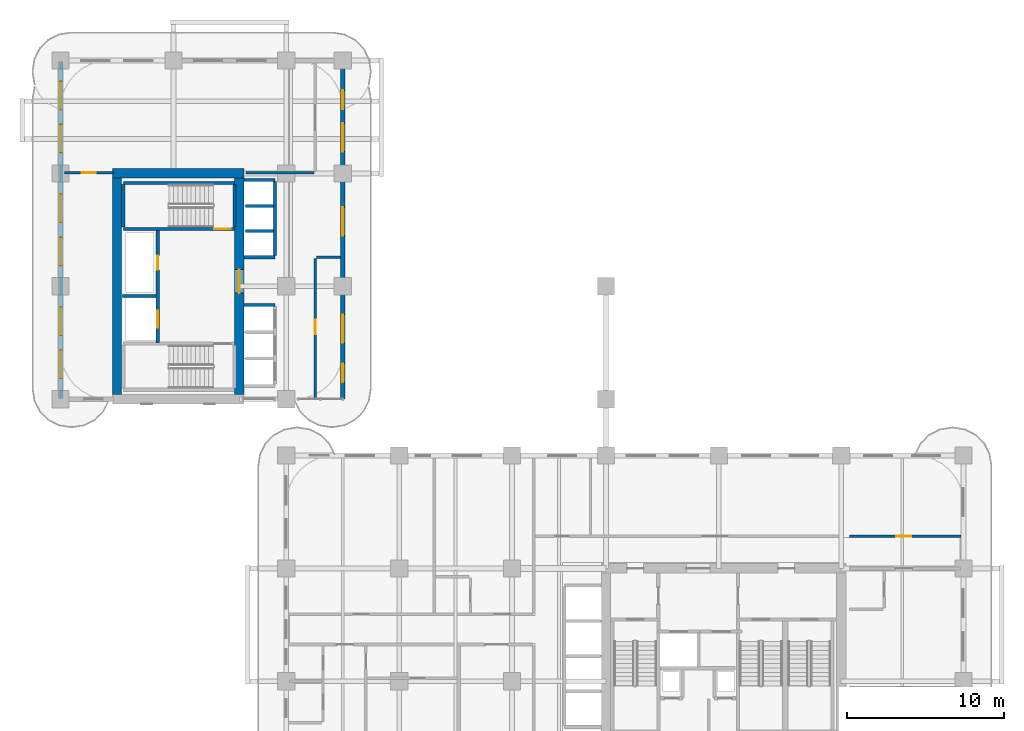
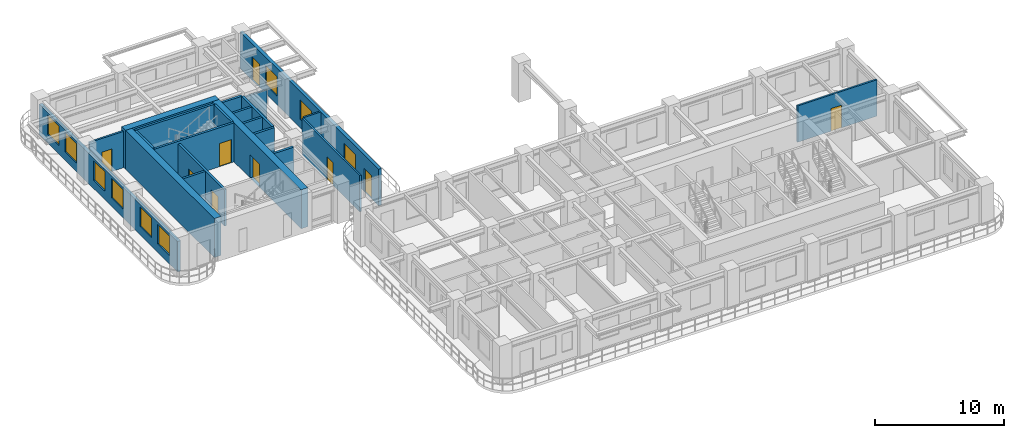
# One storey, part 10 of 18: 22 walls, 9 doors, 9 windows, 18 openings.
"""IFC4 building model written with IfcOpenShell, lengths in metres."""

from ifc_helpers import new_model, si_unit, derived_unit, direction, frame, frame_2d, origin, place, context, subcontext, project, spatial, rectangle, extrude, source, transform, mapped, material, layer, layer_set, type_object, type_shapes, element, fill, save


model = new_model("IFC4")

# Units and contexts
model_context = context("Model", 3, precision=1e-05, world=origin(), true_north=direction((0.0, 1.0)))
body_context = subcontext(model_context, "Body", "Model", "MODEL_VIEW")
ifc_project = project(units=[si_unit("LENGTHUNIT", "METRE"), si_unit("AREAUNIT", "SQUARE_METRE"), si_unit("VOLUMEUNIT", "CUBIC_METRE"), si_unit("PLANEANGLEUNIT", "RADIAN"), si_unit("MASSUNIT", "GRAM", prefix="KILO"), si_unit("THERMODYNAMICTEMPERATUREUNIT", "KELVIN"), si_unit("POWERUNIT", "WATT"), derived_unit("THERMALTRANSMITTANCEUNIT", [(si_unit("POWERUNIT", "WATT"), 1), (si_unit("AREAUNIT", "SQUARE_METRE"), -1), (si_unit("THERMODYNAMICTEMPERATUREUNIT", "KELVIN"), -1)])], contexts=[model_context])

# Site, building, storey
site_placement = place(None, origin())
site = spatial("IfcSite", under=ifc_project, at=site_placement, CompositionType="ELEMENT")
building_placement = place(site_placement, origin())
building = spatial("IfcBuilding", under=site, at=building_placement, Name="Zahravan Archway Hotel and Residences", CompositionType="ELEMENT")
storey_placement = place(building_placement, frame((0.0, 0.0, 58.300048828125)))
storey = spatial("IfcBuildingStorey", under=building, at=storey_placement, Name="L13", CompositionType="ELEMENT", Elevation=58.300048828125)

# Walls
ifc_material_1 = material(Name="Concrete C70/85", Category="concrete")
ifc_layer_1 = layer(ifc_material_1, 0.60009765625, Name="Concrete C70/85", Category="concrete")
ifc_layer_set_1 = layer_set([ifc_layer_1], Name="Concrete C70/85")
wall_type_1 = type_object("IfcWallType", Name="CW-CORE-600", PredefinedType="SHEAR", material=ifc_layer_set_1)
wall_1_placement = place(storey_placement, frame((3.300048828125, 39.60009765625, 0.0), z_axis=(0.0, 0.0, 1.0), x_axis=(1.0, 0.0, 0.0)))
element("IfcWall", 1, at=wall_1_placement, inside=storey, type_object=wall_type_1, Name="L13 Core B Shear N Wall 600 mm", PredefinedType="SHEAR", context=body_context, shape_type="SweptSolid", body=[
    extrude(rectangle(XDim=8.39990234375, YDim=0.60009765625, at=frame_2d((4.199951171875, 0.0))), origin(), (0.0, 0.0, 1.0), 3.699951171875),
])
wall_2_placement = place(storey_placement, frame((3.60009765625, 25.5, 0.0), z_axis=(0.0, 0.0, 1.0), x_axis=(0.0, 1.0, 0.0)))
element("IfcWall", 2, at=wall_2_placement, inside=storey, type_object=wall_type_1, Name="L13 Core B Shear W Wall 600 mm", PredefinedType="SHEAR", context=body_context, shape_type="SweptSolid", body=[
    extrude(rectangle(XDim=13.800048828125, YDim=0.60009765625, at=frame_2d((6.89990234375, 0.0))), origin(), (0.0, 0.0, 1.0), 3.699951171875),
])

# Wall, opening, door
wall_3_placement = place(storey_placement, frame((11.39990234375, 25.5, 0.0), z_axis=(0.0, 0.0, 1.0), x_axis=(0.0, 1.0, 0.0)))
wall_3 = element("IfcWall", 3, at=wall_3_placement, inside=storey, type_object=wall_type_1, Name="L13 Core B Shear E Wall 600 mm", PredefinedType="SHEAR", context=body_context, shape_type="SweptSolid", body=[
    extrude(rectangle(XDim=13.800048828125, YDim=0.60009765625, at=frame_2d((6.89990234375, 0.0))), origin(), (0.0, 0.0, 1.0), 3.699951171875),
])
opening_1_placement = place(wall_3_placement, frame((6.469970703125, 0.0, 0.0)))
opening_1 = element("IfcOpeningElement", 4, at=opening_1_placement, cuts=wall_3, Name="Opening FD-L1", PredefinedType="OPENING", context=body_context, shape_type="SweptSolid", body=[
    extrude(rectangle(XDim=1.5, YDim=2.199951171875, at=frame_2d((0.75, 1.10009765625))), frame((0.0, 0.31005859375, 0.0), z_axis=(0.0, -1.0, 0.0), x_axis=(1.0, 0.0, 0.0)), (0.0, 0.0, 1.0), 0.6201171875),
])
ifc_material_2 = material(Name="Fire-Rated Painted Steel", Category="steel")
door_type_1 = type_object("IfcDoorType", Name="FD-LOBBY-1500", OperationType="DOUBLE_DOOR_SINGLE_SWING", PredefinedType="DOOR", material=ifc_material_2)
shared_shape_1 = source(origin(), body_context, "Body", "SweptSolid", [
    extrude(rectangle(XDim=1.5, YDim=2.199951171875, at=frame_2d((0.75, 1.10009765625))), frame((0.0, 0.02490234375, 0.0), z_axis=(0.0, -1.0, 0.0), x_axis=(1.0, 0.0, 0.0)), (0.0, 0.0, 1.0), 0.050048828125),
])
type_shapes(door_type_1, [shared_shape_1])
door_1_placement = place(opening_1_placement, origin())
door_1 = element("IfcDoor", 5, at=door_1_placement, inside=storey, type_object=door_type_1, Name="L13 Core B FSAE Lobby Door", OperationType="DOUBLE_DOOR_SINGLE_SWING", OverallHeight=2.199951171875, OverallWidth=1.5, PredefinedType="DOOR", context=body_context, shape_type="MappedRepresentation", body=[
    mapped(shared_shape_1, transform((0.0, 0.0, 0.0), scale=1.0)),
])
fill(opening_1, door_1)

# Wall, openings, doors, windows
ifc_material_3 = material(Name="Honed Red-Ochre Sandstone & Insulated Block", Category="masonry")
ifc_layer_2 = layer(ifc_material_3, 0.280029296875, Name="Honed Red-Ochre Sandstone & Insulated Block", Category="masonry")
ifc_layer_set_2 = layer_set([ifc_layer_2], Name="Honed Red-Ochre Sandstone & Insulated Block")
wall_type_2 = type_object("IfcWallType", Name="EW-LOG-280", PredefinedType="SOLIDWALL", material=ifc_layer_set_2)
wall_4_placement = place(storey_placement, frame((18.0, 25.199951171875, 0.0), z_axis=(0.0, 0.0, 1.0), x_axis=(0.0, 1.0, 0.0)))
wall_4 = element("IfcWall", 6, at=wall_4_placement, inside=storey, type_object=wall_type_2, Name="L13 Exterior Sandstone Wall WB-E", PredefinedType="SOLIDWALL", context=body_context, shape_type="SweptSolid", body=[
    extrude(rectangle(XDim=21.550048828125, YDim=0.280029296875, at=frame_2d((10.77490234375, 0.0))), origin(), (0.0, 0.0, 1.0), 3.449951171875),
])
opening_2_placement = place(wall_4_placement, frame((18.5, 0.0, 0.0)))
opening_2 = element("IfcOpeningElement", 7, at=opening_2_placement, cuts=wall_4, Name="Opening ED-BL1", PredefinedType="OPENING", context=body_context, shape_type="SweptSolid", body=[
    extrude(rectangle(XDim=1.199951171875, YDim=2.199951171875, at=frame_2d((0.60009765625, 1.10009765625))), frame((0.0, 0.14990234375, 0.0), z_axis=(0.0, -1.0, 0.0), x_axis=(1.0, 0.0, 0.0)), (0.0, 0.0, 1.0), 0.300048828125),
])
opening_3_placement = place(wall_4_placement, frame((1.070068359375, 0.0, 0.0)))
opening_3 = element("IfcOpeningElement", 8, at=opening_3_placement, cuts=wall_4, Name="Opening ED-BL1", PredefinedType="OPENING", context=body_context, shape_type="SweptSolid", body=[
    extrude(rectangle(XDim=1.199951171875, YDim=2.199951171875, at=frame_2d((0.60009765625, 1.10009765625))), frame((0.0, 0.14990234375, 0.0), z_axis=(0.0, -1.0, 0.0), x_axis=(1.0, 0.0, 0.0)), (0.0, 0.0, 1.0), 0.300048828125),
])
opening_4_placement = place(wall_4_placement, frame((3.5849609375, 0.0, 0.800048828125)))
opening_4 = element("IfcOpeningElement", 9, at=opening_4_placement, cuts=wall_4, Name="Opening W-02", PredefinedType="OPENING", context=body_context, shape_type="SweptSolid", body=[
    extrude(rectangle(XDim=1.800048828125, YDim=1.85009765625, at=frame_2d((0.89990234375, 0.925048828125))), frame((0.0, 0.14990234375, 0.0), z_axis=(0.0, -1.0, 0.0), x_axis=(1.0, 0.0, 0.0)), (0.0, 0.0, 1.0), 0.300048828125),
])
opening_5_placement = place(wall_4_placement, frame((10.427978515625, 0.0, 0.800048828125)))
opening_5 = element("IfcOpeningElement", 10, at=opening_5_placement, cuts=wall_4, Name="Opening W-02", PredefinedType="OPENING", context=body_context, shape_type="SweptSolid", body=[
    extrude(rectangle(XDim=1.800048828125, YDim=1.85009765625, at=frame_2d((0.89990234375, 0.925048828125))), frame((0.0, 0.14990234375, 0.0), z_axis=(0.0, -1.0, 0.0), x_axis=(1.0, 0.0, 0.0)), (0.0, 0.0, 1.0), 0.300048828125),
])
opening_6_placement = place(wall_4_placement, frame((15.800048828125, 0.0, 0.800048828125)))
opening_6 = element("IfcOpeningElement", 11, at=opening_6_placement, cuts=wall_4, Name="Opening W-02", PredefinedType="OPENING", context=body_context, shape_type="SweptSolid", body=[
    extrude(rectangle(XDim=1.800048828125, YDim=1.85009765625, at=frame_2d((0.89990234375, 0.925048828125))), frame((0.0, 0.14990234375, 0.0), z_axis=(0.0, -1.0, 0.0), x_axis=(1.0, 0.0, 0.0)), (0.0, 0.0, 1.0), 0.300048828125),
])
ifc_material_4 = material(Name="Bronze-Anodized Glazed Aluminium", Category="aluminium")
door_type_2 = type_object("IfcDoorType", Name="ED-BALC-1200", OperationType="SLIDING_TO_LEFT", PredefinedType="DOOR", material=ifc_material_4)
shared_shape_2 = source(origin(), body_context, "Body", "SweptSolid", [
    extrude(rectangle(XDim=1.199951171875, YDim=2.199951171875, at=frame_2d((0.60009765625, 1.10009765625))), frame((0.0, 0.02490234375, 0.0), z_axis=(0.0, -1.0, 0.0), x_axis=(1.0, 0.0, 0.0)), (0.0, 0.0, 1.0), 0.050048828125),
])
type_shapes(door_type_2, [shared_shape_2])
door_2_placement = place(opening_2_placement, origin())
door_2 = element("IfcDoor", 12, at=door_2_placement, inside=storey, type_object=door_type_2, Name="L13 Outdoor Access Sliding Door (SLB-BAL-L13-NB)", OperationType="SLIDING_TO_LEFT", OverallHeight=2.199951171875, OverallWidth=1.199951171875, PredefinedType="DOOR", context=body_context, shape_type="MappedRepresentation", body=[
    mapped(shared_shape_2, transform((0.0, 0.0, 0.0), scale=1.0)),
])
fill(opening_2, door_2)
door_3_placement = place(opening_3_placement, origin())
door_3 = element("IfcDoor", 13, at=door_3_placement, inside=storey, type_object=door_type_2, Name="L13 Outdoor Access Sliding Door (SLB-BAL-L13-EB)", OperationType="SLIDING_TO_LEFT", OverallHeight=2.199951171875, OverallWidth=1.199951171875, PredefinedType="DOOR", context=body_context, shape_type="MappedRepresentation", body=[
    mapped(shared_shape_2, transform((0.0, 0.0, 0.0), scale=1.0)),
])
fill(opening_3, door_3)
ifc_material_5 = material(Name="Bronze-Anodized Thermal-Break Aluminium & Low-E Glass", Category="aluminium")
window_type = type_object("IfcWindowType", Name="WIN-TWR-1800", PartitioningType="DOUBLE_PANEL_VERTICAL", PredefinedType="WINDOW", material=ifc_material_5)
shared_shape_3 = source(origin(), body_context, "Body", "SweptSolid", [
    extrude(rectangle(XDim=1.800048828125, YDim=1.85009765625, at=frame_2d((0.89990234375, 0.925048828125))), frame((0.0, 0.030029296875, 0.0), z_axis=(0.0, -1.0, 0.0), x_axis=(1.0, 0.0, 0.0)), (0.0, 0.0, 1.0), 0.06005859375),
])
type_shapes(window_type, [shared_shape_3])
window_1_placement = place(opening_4_placement, origin())
window_1 = element("IfcWindow", 14, at=window_1_placement, inside=storey, type_object=window_type, Name="L13 Loggia Window 34", OverallHeight=1.85009765625, OverallWidth=1.800048828125, PartitioningType="DOUBLE_PANEL_VERTICAL", PredefinedType="WINDOW", context=body_context, shape_type="MappedRepresentation", body=[
    mapped(shared_shape_3, transform((0.0, 0.0, 0.0), scale=1.0)),
])
fill(opening_4, window_1)
window_2_placement = place(opening_5_placement, origin())
window_2 = element("IfcWindow", 15, at=window_2_placement, inside=storey, type_object=window_type, Name="L13 Loggia Window 35", OverallHeight=1.85009765625, OverallWidth=1.800048828125, PartitioningType="DOUBLE_PANEL_VERTICAL", PredefinedType="WINDOW", context=body_context, shape_type="MappedRepresentation", body=[
    mapped(shared_shape_3, transform((0.0, 0.0, 0.0), scale=1.0)),
])
fill(opening_5, window_2)
window_3_placement = place(opening_6_placement, origin())
window_3 = element("IfcWindow", 16, at=window_3_placement, inside=storey, type_object=window_type, Name="L13 Loggia Window 36", OverallHeight=1.85009765625, OverallWidth=1.800048828125, PartitioningType="DOUBLE_PANEL_VERTICAL", PredefinedType="WINDOW", context=body_context, shape_type="MappedRepresentation", body=[
    mapped(shared_shape_3, transform((0.0, 0.0, 0.0), scale=1.0)),
])
fill(opening_6, window_3)

# Wall, openings, windows
wall_5_placement = place(storey_placement, frame((0.0, 25.25, 0.0), z_axis=(0.0, 0.0, 1.0), x_axis=(0.0, 1.0, 0.0)))
wall_5 = element("IfcWall", 17, at=wall_5_placement, inside=storey, type_object=wall_type_2, Name="L13 Exterior Sandstone Wall WB-W", PredefinedType="SOLIDWALL", context=body_context, shape_type="SweptSolid", body=[
    extrude(rectangle(XDim=21.5, YDim=0.280029296875, at=frame_2d((10.75, 0.0))), origin(), (0.0, 0.0, 1.0), 2.885009765625),
])
opening_7_placement = place(wall_5_placement, frame((1.27490234375, 0.0, 0.800048828125)))
opening_7 = element("IfcOpeningElement", 18, at=opening_7_placement, cuts=wall_5, Name="Opening W-02", PredefinedType="OPENING", context=body_context, shape_type="SweptSolid", body=[
    extrude(rectangle(XDim=1.800048828125, YDim=1.85009765625, at=frame_2d((0.89990234375, 0.925048828125))), frame((0.0, 0.14990234375, 0.0), z_axis=(0.0, -1.0, 0.0), x_axis=(1.0, 0.0, 0.0)), (0.0, 0.0, 1.0), 0.300048828125),
])
opening_8_placement = place(wall_5_placement, frame((4.02490234375, 0.0, 0.800048828125)))
opening_8 = element("IfcOpeningElement", 19, at=opening_8_placement, cuts=wall_5, Name="Opening W-02", PredefinedType="OPENING", context=body_context, shape_type="SweptSolid", body=[
    extrude(rectangle(XDim=1.800048828125, YDim=1.85009765625, at=frame_2d((0.89990234375, 0.925048828125))), frame((0.0, 0.14990234375, 0.0), z_axis=(0.0, -1.0, 0.0), x_axis=(1.0, 0.0, 0.0)), (0.0, 0.0, 1.0), 0.300048828125),
])
opening_9_placement = place(wall_5_placement, frame((8.47509765625, 0.0, 0.800048828125)))
opening_9 = element("IfcOpeningElement", 20, at=opening_9_placement, cuts=wall_5, Name="Opening W-02", PredefinedType="OPENING", context=body_context, shape_type="SweptSolid", body=[
    extrude(rectangle(XDim=1.800048828125, YDim=1.85009765625, at=frame_2d((0.89990234375, 0.925048828125))), frame((0.0, 0.14990234375, 0.0), z_axis=(0.0, -1.0, 0.0), x_axis=(1.0, 0.0, 0.0)), (0.0, 0.0, 1.0), 0.300048828125),
])
opening_10_placement = place(wall_5_placement, frame((11.22509765625, 0.0, 0.800048828125)))
opening_10 = element("IfcOpeningElement", 21, at=opening_10_placement, cuts=wall_5, Name="Opening W-02", PredefinedType="OPENING", context=body_context, shape_type="SweptSolid", body=[
    extrude(rectangle(XDim=1.800048828125, YDim=1.85009765625, at=frame_2d((0.89990234375, 0.925048828125))), frame((0.0, 0.14990234375, 0.0), z_axis=(0.0, -1.0, 0.0), x_axis=(1.0, 0.0, 0.0)), (0.0, 0.0, 1.0), 0.300048828125),
])
opening_11_placement = place(wall_5_placement, frame((15.675048828125, 0.0, 0.800048828125)))
opening_11 = element("IfcOpeningElement", 22, at=opening_11_placement, cuts=wall_5, Name="Opening W-02", PredefinedType="OPENING", context=body_context, shape_type="SweptSolid", body=[
    extrude(rectangle(XDim=1.800048828125, YDim=1.85009765625, at=frame_2d((0.89990234375, 0.925048828125))), frame((0.0, 0.14990234375, 0.0), z_axis=(0.0, -1.0, 0.0), x_axis=(1.0, 0.0, 0.0)), (0.0, 0.0, 1.0), 0.300048828125),
])
opening_12_placement = place(wall_5_placement, frame((18.425048828125, 0.0, 0.800048828125)))
opening_12 = element("IfcOpeningElement", 23, at=opening_12_placement, cuts=wall_5, Name="Opening W-02", PredefinedType="OPENING", context=body_context, shape_type="SweptSolid", body=[
    extrude(rectangle(XDim=1.800048828125, YDim=1.85009765625, at=frame_2d((0.89990234375, 0.925048828125))), frame((0.0, 0.14990234375, 0.0), z_axis=(0.0, -1.0, 0.0), x_axis=(1.0, 0.0, 0.0)), (0.0, 0.0, 1.0), 0.300048828125),
])
window_4_placement = place(opening_7_placement, origin())
window_4 = element("IfcWindow", 24, at=window_4_placement, inside=storey, type_object=window_type, Name="L13 Loggia Window 41", OverallHeight=1.85009765625, OverallWidth=1.800048828125, PartitioningType="DOUBLE_PANEL_VERTICAL", PredefinedType="WINDOW", context=body_context, shape_type="MappedRepresentation", body=[
    mapped(shared_shape_3, transform((0.0, 0.0, 0.0), scale=1.0)),
])
fill(opening_7, window_4)
window_5_placement = place(opening_8_placement, origin())
window_5 = element("IfcWindow", 25, at=window_5_placement, inside=storey, type_object=window_type, Name="L13 Loggia Window 42", OverallHeight=1.85009765625, OverallWidth=1.800048828125, PartitioningType="DOUBLE_PANEL_VERTICAL", PredefinedType="WINDOW", context=body_context, shape_type="MappedRepresentation", body=[
    mapped(shared_shape_3, transform((0.0, 0.0, 0.0), scale=1.0)),
])
fill(opening_8, window_5)
window_6_placement = place(opening_9_placement, origin())
window_6 = element("IfcWindow", 26, at=window_6_placement, inside=storey, type_object=window_type, Name="L13 Loggia Window 43", OverallHeight=1.85009765625, OverallWidth=1.800048828125, PartitioningType="DOUBLE_PANEL_VERTICAL", PredefinedType="WINDOW", context=body_context, shape_type="MappedRepresentation", body=[
    mapped(shared_shape_3, transform((0.0, 0.0, 0.0), scale=1.0)),
])
fill(opening_9, window_6)
window_7_placement = place(opening_10_placement, origin())
window_7 = element("IfcWindow", 27, at=window_7_placement, inside=storey, type_object=window_type, Name="L13 Loggia Window 44", OverallHeight=1.85009765625, OverallWidth=1.800048828125, PartitioningType="DOUBLE_PANEL_VERTICAL", PredefinedType="WINDOW", context=body_context, shape_type="MappedRepresentation", body=[
    mapped(shared_shape_3, transform((0.0, 0.0, 0.0), scale=1.0)),
])
fill(opening_10, window_7)
window_8_placement = place(opening_11_placement, origin())
window_8 = element("IfcWindow", 28, at=window_8_placement, inside=storey, type_object=window_type, Name="L13 Loggia Window 45", OverallHeight=1.85009765625, OverallWidth=1.800048828125, PartitioningType="DOUBLE_PANEL_VERTICAL", PredefinedType="WINDOW", context=body_context, shape_type="MappedRepresentation", body=[
    mapped(shared_shape_3, transform((0.0, 0.0, 0.0), scale=1.0)),
])
fill(opening_11, window_8)
window_9_placement = place(opening_12_placement, origin())
window_9 = element("IfcWindow", 29, at=window_9_placement, inside=storey, type_object=window_type, Name="L13 Loggia Window 46", OverallHeight=1.85009765625, OverallWidth=1.800048828125, PartitioningType="DOUBLE_PANEL_VERTICAL", PredefinedType="WINDOW", context=body_context, shape_type="MappedRepresentation", body=[
    mapped(shared_shape_3, transform((0.0, 0.0, 0.0), scale=1.0)),
])
fill(opening_12, window_9)

# Wall, opening, door
ifc_material_6 = material(Name="Fire-Rated Gypsum & Concrete Block", Category="concrete")
ifc_layer_3 = layer(ifc_material_6, 0.159912109375, Name="Fire-Rated Gypsum & Concrete Block", Category="concrete")
ifc_layer_set_3 = layer_set([ifc_layer_3], Name="Fire-Rated Gypsum & Concrete Block")
wall_type_3 = type_object("IfcWallType", Name="PW-CORR-160", PredefinedType="PARTITIONING", material=ifc_layer_set_3)
wall_6_placement = place(storey_placement, frame((50.340087890625, 16.449951171875, 0.0), z_axis=(0.0, 0.0, 1.0), x_axis=(1.0, 0.0, 0.0)))
wall_6 = element("IfcWall", 30, at=wall_6_placement, inside=storey, type_object=wall_type_3, Name="L13 Partition EA-PN", PredefinedType="PARTITIONING", context=body_context, shape_type="SweptSolid", body=[
    extrude(rectangle(XDim=7.11181640625, YDim=0.159912109375, at=frame_2d((3.555908203125, 0.0))), origin(), (0.0, 0.0, 1.0), 3.449951171875),
])
opening_13_placement = place(wall_6_placement, frame((2.985107421875, 0.0, 0.0)))
opening_13 = element("IfcOpeningElement", 31, at=opening_13_placement, cuts=wall_6, Name="Opening D-I1", PredefinedType="OPENING", context=body_context, shape_type="SweptSolid", body=[
    extrude(rectangle(XDim=0.949951171875, YDim=2.14990234375, at=frame_2d((0.47509765625, 1.074951171875))), frame((0.0, 0.08984375, 0.0), z_axis=(0.0, -1.0, 0.0), x_axis=(1.0, 0.0, 0.0)), (0.0, 0.0, 1.0), 0.179931640625),
])
ifc_material_7 = material(Name="Hardwood Veneer Timber", Category="wood")
door_type_3 = type_object("IfcDoorType", Name="ID-INT-950", OperationType="NOTDEFINED", PredefinedType="DOOR", material=ifc_material_7)
shared_shape_4 = source(origin(), body_context, "Body", "SweptSolid", [
    extrude(rectangle(XDim=0.949951171875, YDim=2.14990234375, at=frame_2d((0.47509765625, 1.074951171875))), frame((0.0, 0.02490234375, 0.0), z_axis=(0.0, -1.0, 0.0), x_axis=(1.0, 0.0, 0.0)), (0.0, 0.0, 1.0), 0.050048828125),
])
type_shapes(door_type_3, [shared_shape_4])
door_4_placement = place(opening_13_placement, origin())
door_4 = element("IfcDoor", 32, at=door_4_placement, inside=storey, type_object=door_type_3, Name="L13 East Tea Kitchenette Door", OperationType="SINGLE_SWING_LEFT", OverallHeight=2.14990234375, OverallWidth=0.949951171875, PredefinedType="DOOR", context=body_context, shape_type="MappedRepresentation", body=[
    mapped(shared_shape_4, transform((0.0, 0.0, 0.0), scale=1.0)),
])
fill(opening_13, door_4)

wall_7_placement = place(storey_placement, frame((16.25, 25.22802734375, 0.0), z_axis=(0.0, 0.0, 1.0), x_axis=(0.0, 1.0, 0.0)))
wall_7 = element("IfcWall", 33, at=wall_7_placement, inside=storey, type_object=wall_type_3, Name="L13 Partition WB-CE", PredefinedType="PARTITIONING", context=body_context, shape_type="SweptSolid", body=[
    extrude(rectangle(XDim=8.931884765625, YDim=0.159912109375, at=frame_2d((4.4658203125, 0.0))), origin(), (0.0, 0.0, 1.0), 3.449951171875),
])
opening_14_placement = place(wall_7_placement, frame((4.096923828125, 0.0, 0.0)))
opening_14 = element("IfcOpeningElement", 34, at=opening_14_placement, cuts=wall_7, Name="Opening D-I1", PredefinedType="OPENING", context=body_context, shape_type="SweptSolid", body=[
    extrude(rectangle(XDim=0.949951171875, YDim=2.14990234375, at=frame_2d((0.47509765625, 1.074951171875))), frame((0.0, 0.08984375, 0.0), z_axis=(0.0, -1.0, 0.0), x_axis=(1.0, 0.0, 0.0)), (0.0, 0.0, 1.0), 0.179931640625),
])
door_5_placement = place(opening_14_placement, origin())
door_5 = element("IfcDoor", 35, at=door_5_placement, inside=storey, type_object=door_type_3, Name="L13 Wing B Portal Study Door", OperationType="SINGLE_SWING_LEFT", OverallHeight=2.14990234375, OverallWidth=0.949951171875, PredefinedType="DOOR", context=body_context, shape_type="MappedRepresentation", body=[
    mapped(shared_shape_4, transform((0.0, 0.0, 0.0), scale=1.0)),
])
fill(opening_14, door_5)

# Walls
wall_8_placement = place(storey_placement, frame((16.340087890625, 34.25, 0.0), z_axis=(0.0, 0.0, 1.0), x_axis=(1.0, 0.0, 0.0)))
element("IfcWall", 36, at=wall_8_placement, inside=storey, type_object=wall_type_3, Name="L13 Partition WB-CS", PredefinedType="PARTITIONING", context=body_context, shape_type="SweptSolid", body=[
    extrude(rectangle(XDim=1.511962890625, YDim=0.159912109375, at=frame_2d((0.755859375, 0.0))), origin(), (0.0, 0.0, 1.0), 3.449951171875),
])
wall_9_placement = place(storey_placement, frame((11.840087890625, 39.64990234375, 0.0), z_axis=(0.0, 0.0, 1.0), x_axis=(1.0, 0.0, 0.0)))
element("IfcWall", 37, at=wall_9_placement, inside=storey, type_object=wall_type_3, Name="L13 Partition WB-NS2", PredefinedType="PARTITIONING", context=body_context, shape_type="SweptSolid", body=[
    extrude(rectangle(XDim=4.31982421875, YDim=0.159912109375, at=frame_2d((2.159912109375, 0.0))), origin(), (0.0, 0.0, 1.0), 2.885009765625),
])

# Wall, openings, doors
ifc_layer_4 = layer(ifc_material_6, 0.199951171875, Name="Fire-Rated Gypsum & Concrete Block", Category="concrete")
ifc_layer_set_4 = layer_set([ifc_layer_4], Name="Fire-Rated Gypsum & Concrete Block")
wall_type_4 = type_object("IfcWallType", Name="PW-SHAFT-200", PredefinedType="PARTITIONING", material=ifc_layer_set_4)
wall_10_placement = place(storey_placement, frame((6.199951171875, 28.7900390625, 0.0), z_axis=(0.0, 0.0, 1.0), x_axis=(0.0, 1.0, 0.0)))
wall_10 = element("IfcWall", 38, at=wall_10_placement, inside=storey, type_object=wall_type_4, Name="L13 Partition CB-FL3E", PredefinedType="PARTITIONING", context=body_context, shape_type="SweptSolid", body=[
    extrude(rectangle(XDim=7.219970703125, YDim=0.199951171875, at=frame_2d((3.60986328125, 0.0))), origin(), (0.0, 0.0, 1.0), 3.449951171875),
])
opening_15_placement = place(wall_10_placement, frame((4.659912109375, 0.0, 0.0)))
opening_15 = element("IfcOpeningElement", 39, at=opening_15_placement, cuts=wall_10, Name="Opening FD-R1", PredefinedType="OPENING", context=body_context, shape_type="SweptSolid", body=[
    extrude(rectangle(XDim=0.89990234375, YDim=2.10009765625, at=frame_2d((0.449951171875, 1.050048828125))), frame((0.0, 0.10986328125, 0.0), z_axis=(0.0, -1.0, 0.0), x_axis=(1.0, 0.0, 0.0)), (0.0, 0.0, 1.0), 0.219970703125),
])
opening_16_placement = place(wall_10_placement, frame((0.9599609375, 0.0, 0.0)))
opening_16 = element("IfcOpeningElement", 40, at=opening_16_placement, cuts=wall_10, Name="Opening LD", PredefinedType="OPENING", context=body_context, shape_type="SweptSolid", body=[
    extrude(rectangle(XDim=1.10009765625, YDim=2.199951171875, at=frame_2d((0.550048828125, 1.10009765625))), frame((0.0, 0.10986328125, 0.0), z_axis=(0.0, -1.0, 0.0), x_axis=(1.0, 0.0, 0.0)), (0.0, 0.0, 1.0), 0.219970703125),
])
door_type_4 = type_object("IfcDoorType", Name="FD-RISER-900", OperationType="NOTDEFINED", PredefinedType="DOOR", material=ifc_material_2)
shared_shape_5 = source(origin(), body_context, "Body", "SweptSolid", [
    extrude(rectangle(XDim=0.89990234375, YDim=2.10009765625, at=frame_2d((0.449951171875, 1.050048828125))), frame((0.0, 0.02490234375, 0.0), z_axis=(0.0, -1.0, 0.0), x_axis=(1.0, 0.0, 0.0)), (0.0, 0.0, 1.0), 0.050048828125),
])
type_shapes(door_type_4, [shared_shape_5])
door_6_placement = place(opening_15_placement, origin())
door_6 = element("IfcDoor", 41, at=door_6_placement, inside=storey, type_object=door_type_4, Name="L13 Core B Riser Door", OperationType="SINGLE_SWING_LEFT", OverallHeight=2.10009765625, OverallWidth=0.89990234375, PredefinedType="DOOR", context=body_context, shape_type="MappedRepresentation", body=[
    mapped(shared_shape_5, transform((0.0, 0.0, 0.0), scale=1.0)),
])
fill(opening_15, door_6)
ifc_material_8 = material(Name="Brushed Stainless Steel", Category="steel")
door_type_5 = type_object("IfcDoorType", Name="DR-LIFT-LD", OperationType="SLIDING_TO_LEFT", PredefinedType="DOOR", material=ifc_material_8)
shared_shape_6 = source(origin(), body_context, "Body", "SweptSolid", [
    extrude(rectangle(XDim=1.10009765625, YDim=2.199951171875, at=frame_2d((0.550048828125, 1.10009765625))), frame((0.0, 0.02490234375, 0.0), z_axis=(0.0, -1.0, 0.0), x_axis=(1.0, 0.0, 0.0)), (0.0, 0.0, 1.0), 0.050048828125),
])
type_shapes(door_type_5, [shared_shape_6])
door_7_placement = place(opening_16_placement, origin())
door_7 = element("IfcDoor", 42, at=door_7_placement, inside=storey, type_object=door_type_5, Name="L13 Lift FL-3 Sliding Landing Door", OperationType="SLIDING_TO_LEFT", OverallHeight=2.199951171875, OverallWidth=1.10009765625, PredefinedType="DOOR", context=body_context, shape_type="MappedRepresentation", body=[
    mapped(shared_shape_6, transform((0.0, 0.0, 0.0), scale=1.0)),
])
fill(opening_16, door_7)

# Walls
wall_11_placement = place(storey_placement, frame((3.9599609375, 31.780029296875, 0.0), z_axis=(0.0, 0.0, 1.0), x_axis=(1.0, 0.0, 0.0)))
element("IfcWall", 43, at=wall_11_placement, inside=storey, type_object=wall_type_4, Name="L13 Partition CB-FL3N", PredefinedType="PARTITIONING", context=body_context, shape_type="SweptSolid", body=[
    extrude(rectangle(XDim=2.130126953125, YDim=0.199951171875, at=frame_2d((1.06494140625, 0.0))), origin(), (0.0, 0.0, 1.0), 3.449951171875),
])
for number, where, z_axis, x_axis, name in (
    (44, (11.7099609375, 31.2099609375, 0.0), (0.0, 0.0, 1.0), (1.0, 0.0, 0.0), "L13 Partition B1-N"),
    (45, (11.7099609375, 34.25, 0.0), (0.0, 0.0, 1.0), (1.0, 0.0, 0.0), "L13 Partition B2-S"),
    (46, (11.7099609375, 39.18994140625, 0.0), (0.0, 0.0, 1.0), (1.0, 0.0, 0.0), "L13 Partition B2-N"),
):
    element("IfcWall", number, at=place(storey_placement, frame(where, z_axis=z_axis, x_axis=x_axis)), inside=storey, type_object=wall_type_4, Name=name, PredefinedType="PARTITIONING", context=body_context, shape_type="SweptSolid", body=[
        extrude(rectangle(XDim=1.9599609375, YDim=0.199951171875, at=frame_2d((0.97998046875, 0.0))), origin(), (0.0, 0.0, 1.0), 3.449951171875),
    ])
wall_12_placement = place(storey_placement, frame((13.679931640625, 34.360107421875, 0.0), z_axis=(0.0, 0.0, 1.0), x_axis=(0.0, 1.0, 0.0)))
element("IfcWall", 47, at=wall_12_placement, inside=storey, type_object=wall_type_4, Name="L13 Partition B2-E", PredefinedType="PARTITIONING", context=body_context, shape_type="SweptSolid", body=[
    extrude(rectangle(XDim=4.719970703125, YDim=0.199951171875, at=frame_2d((2.35986328125, 0.0))), origin(), (0.0, 0.0, 1.0), 3.449951171875),
])
for number, where, z_axis, x_axis, name in (
    (48, (11.81005859375, 35.919921875, 0.0), (0.0, 0.0, 1.0), (1.0, 0.0, 0.0), "L13 Partition B2-D"),
    (49, (11.81005859375, 37.52001953125, 0.0), (0.0, 0.0, 1.0), (1.0, 0.0, 0.0), "L13 Partition B2-D"),
):
    element("IfcWall", number, at=place(storey_placement, frame(where, z_axis=z_axis, x_axis=x_axis)), inside=storey, type_object=wall_type_4, Name=name, PredefinedType="PARTITIONING", context=body_context, shape_type="SweptSolid", body=[
        extrude(rectangle(XDim=1.760009765625, YDim=0.199951171875, at=frame_2d((0.8798828125, 0.0))), origin(), (0.0, 0.0, 1.0), 3.449951171875),
    ])

# Wall, opening, door
ifc_material_9 = material(Name="Acoustic Stud Partition")
ifc_layer_5 = layer(ifc_material_9, 0.169921875, Name="Acoustic Stud Partition")
ifc_layer_set_5 = layer_set([ifc_layer_5], Name="Acoustic Stud Partition")
wall_type_5 = type_object("IfcWallType", Name="PW-UNIT-170", PredefinedType="PARTITIONING", material=ifc_layer_set_5)
wall_13_placement = place(storey_placement, frame((0.239990234375, 39.64990234375, 0.0), z_axis=(0.0, 0.0, 1.0), x_axis=(1.0, 0.0, 0.0)))
wall_13 = element("IfcWall", 50, at=wall_13_placement, inside=storey, type_object=wall_type_5, Name="L13 Partition WB-NS", PredefinedType="PARTITIONING", context=body_context, shape_type="SweptSolid", body=[
    extrude(rectangle(XDim=3.1201171875, YDim=0.169921875, at=frame_2d((1.56005859375, 0.0))), origin(), (0.0, 0.0, 1.0), 3.449951171875),
])
opening_17_placement = place(wall_13_placement, frame((1.110107421875, 0.0, 0.0)))
opening_17 = element("IfcOpeningElement", 51, at=opening_17_placement, cuts=wall_13, Name="Opening D-I2", PredefinedType="OPENING", context=body_context, shape_type="SweptSolid", body=[
    extrude(rectangle(XDim=0.89990234375, YDim=2.14990234375, at=frame_2d((0.449951171875, 1.074951171875))), frame((0.0, 0.094970703125, 0.0), z_axis=(0.0, -1.0, 0.0), x_axis=(1.0, 0.0, 0.0)), (0.0, 0.0, 1.0), 0.18994140625),
])
door_type_6 = type_object("IfcDoorType", Name="ID-INT-900", OperationType="NOTDEFINED", PredefinedType="DOOR", material=ifc_material_7)
shared_shape_7 = source(origin(), body_context, "Body", "SweptSolid", [
    extrude(rectangle(XDim=0.89990234375, YDim=2.14990234375, at=frame_2d((0.449951171875, 1.074951171875))), frame((0.0, 0.02490234375, 0.0), z_axis=(0.0, -1.0, 0.0), x_axis=(1.0, 0.0, 0.0)), (0.0, 0.0, 1.0), 0.050048828125),
])
type_shapes(door_type_6, [shared_shape_7])
door_8_placement = place(opening_17_placement, origin())
door_8 = element("IfcDoor", 52, at=door_8_placement, inside=storey, type_object=door_type_6, Name="L13 Wing B West Loggia Salon Door", OperationType="SINGLE_SWING_RIGHT", OverallHeight=2.14990234375, OverallWidth=0.89990234375, PredefinedType="DOOR", context=body_context, shape_type="MappedRepresentation", body=[
    mapped(shared_shape_7, transform((0.0, 0.0, 0.0), scale=1.0)),
])
fill(opening_17, door_8)

# Walls
ifc_material_10 = material(Name="Concrete C50/60", Category="concrete")
ifc_layer_6 = layer(ifc_material_10, 0.199951171875, Name="Concrete C50/60", Category="concrete")
ifc_layer_set_6 = layer_set([ifc_layer_6], Name="Concrete C50/60")
wall_type_6 = type_object("IfcWallType", Name="SW-STAIR-200", PredefinedType="SHEAR", material=ifc_layer_set_6)
wall_14_placement = place(storey_placement, frame((4.0, 39.0, 0.0), z_axis=(0.0, 0.0, 1.0), x_axis=(1.0, 0.0, 0.0)))
element("IfcWall", 53, at=wall_14_placement, inside=storey, type_object=wall_type_6, Name="L13 Stairwell RC Wall CB-SB2N", PredefinedType="SHEAR", context=body_context, shape_type="SweptSolid", body=[
    extrude(rectangle(XDim=7.10009765625, YDim=0.199951171875, at=frame_2d((3.550048828125, 0.0))), origin(), (0.0, 0.0, 1.0), 3.699951171875),
])
for number, where, z_axis, x_axis, name in (
    (54, (4.0, 36.179931640625, 0.0), (0.0, 0.0, 1.0), (0.0, 1.0, 0.0), "L13 Stairwell RC Wall CB-SB2W"),
    (55, (11.10009765625, 36.179931640625, 0.0), (0.0, 0.0, 1.0), (0.0, 1.0, 0.0), "L13 Stairwell RC Wall CB-SB2E"),
):
    element("IfcWall", number, at=place(storey_placement, frame(where, z_axis=z_axis, x_axis=x_axis)), inside=storey, type_object=wall_type_6, Name=name, PredefinedType="SHEAR", context=body_context, shape_type="SweptSolid", body=[
        extrude(rectangle(XDim=2.699951171875, YDim=0.199951171875, at=frame_2d((1.35009765625, 0.0))), origin(), (0.0, 0.0, 1.0), 3.699951171875),
    ])

# Wall, opening, door
wall_15_placement = place(storey_placement, frame((4.0, 36.06005859375, 0.0), z_axis=(0.0, 0.0, 1.0), x_axis=(1.0, 0.0, 0.0)))
wall_15 = element("IfcWall", 56, at=wall_15_placement, inside=storey, type_object=wall_type_6, Name="L13 Stairwell RC Wall CB-SB2S", PredefinedType="SHEAR", context=body_context, shape_type="SweptSolid", body=[
    extrude(rectangle(XDim=7.10009765625, YDim=0.199951171875, at=frame_2d((3.550048828125, 0.0))), origin(), (0.0, 0.0, 1.0), 3.699951171875),
])
opening_18_placement = place(wall_15_placement, frame((5.81494140625, 0.0, 0.0)))
opening_18 = element("IfcOpeningElement", 57, at=opening_18_placement, cuts=wall_15, Name="Opening FD-S1", PredefinedType="OPENING", context=body_context, shape_type="SweptSolid", body=[
    extrude(rectangle(XDim=1.050048828125, YDim=2.199951171875, at=frame_2d((0.52490234375, 1.10009765625))), frame((0.0, 0.10986328125, 0.0), z_axis=(0.0, -1.0, 0.0), x_axis=(1.0, 0.0, 0.0)), (0.0, 0.0, 1.0), 0.219970703125),
])
door_type_7 = type_object("IfcDoorType", Name="FD-STAIR-1100", OperationType="NOTDEFINED", PredefinedType="DOOR", material=ifc_material_2)
shared_shape_8 = source(origin(), body_context, "Body", "SweptSolid", [
    extrude(rectangle(XDim=1.050048828125, YDim=2.199951171875, at=frame_2d((0.52490234375, 1.10009765625))), frame((0.0, 0.02490234375, 0.0), z_axis=(0.0, -1.0, 0.0), x_axis=(1.0, 0.0, 0.0)), (0.0, 0.0, 1.0), 0.050048828125),
])
type_shapes(door_type_7, [shared_shape_8])
door_9_placement = place(opening_18_placement, origin())
door_9 = element("IfcDoor", 58, at=door_9_placement, inside=storey, type_object=door_type_7, Name="L13 Stair ST-B2 Door", OperationType="SINGLE_SWING_RIGHT", OverallHeight=2.199951171875, OverallWidth=1.050048828125, PredefinedType="DOOR", context=body_context, shape_type="MappedRepresentation", body=[
    mapped(shared_shape_8, transform((0.0, 0.0, 0.0), scale=1.0)),
])
fill(opening_18, door_9)

save(model, "model.ifc")
